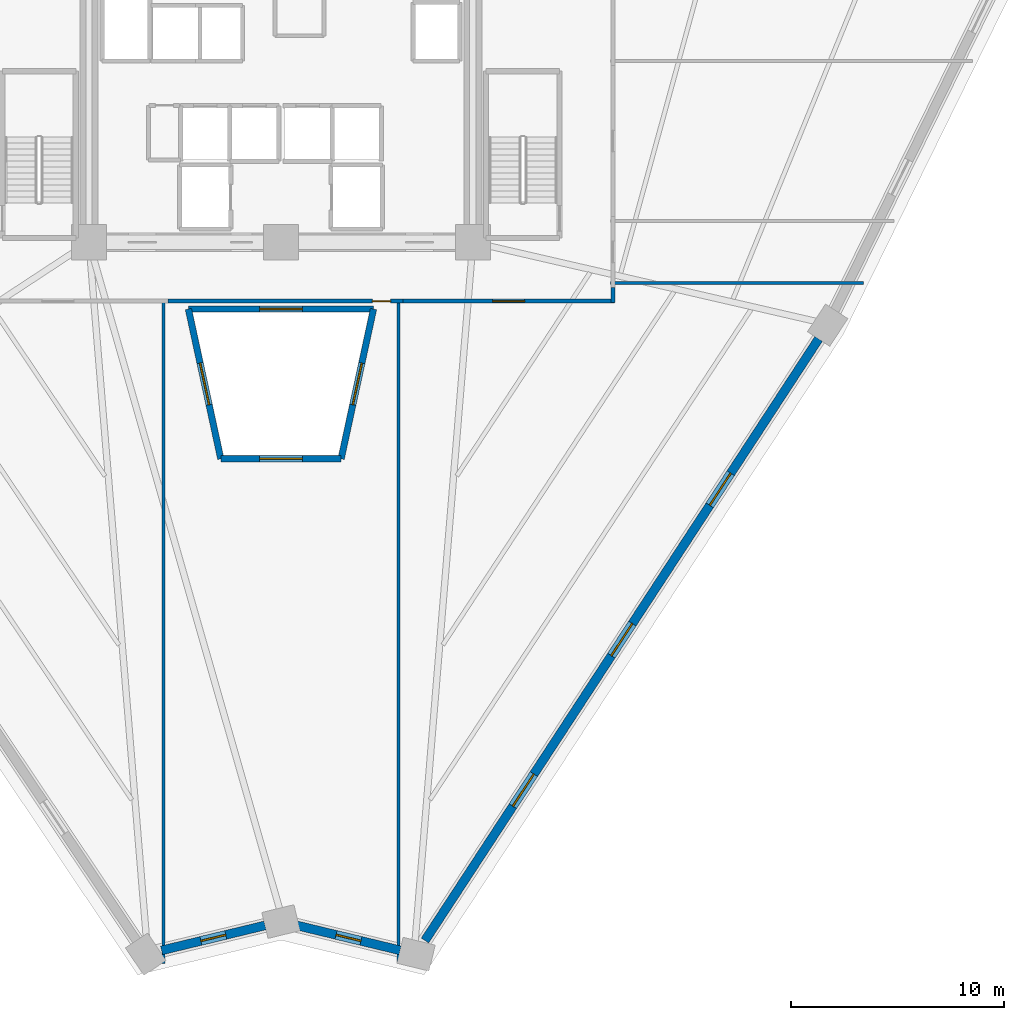
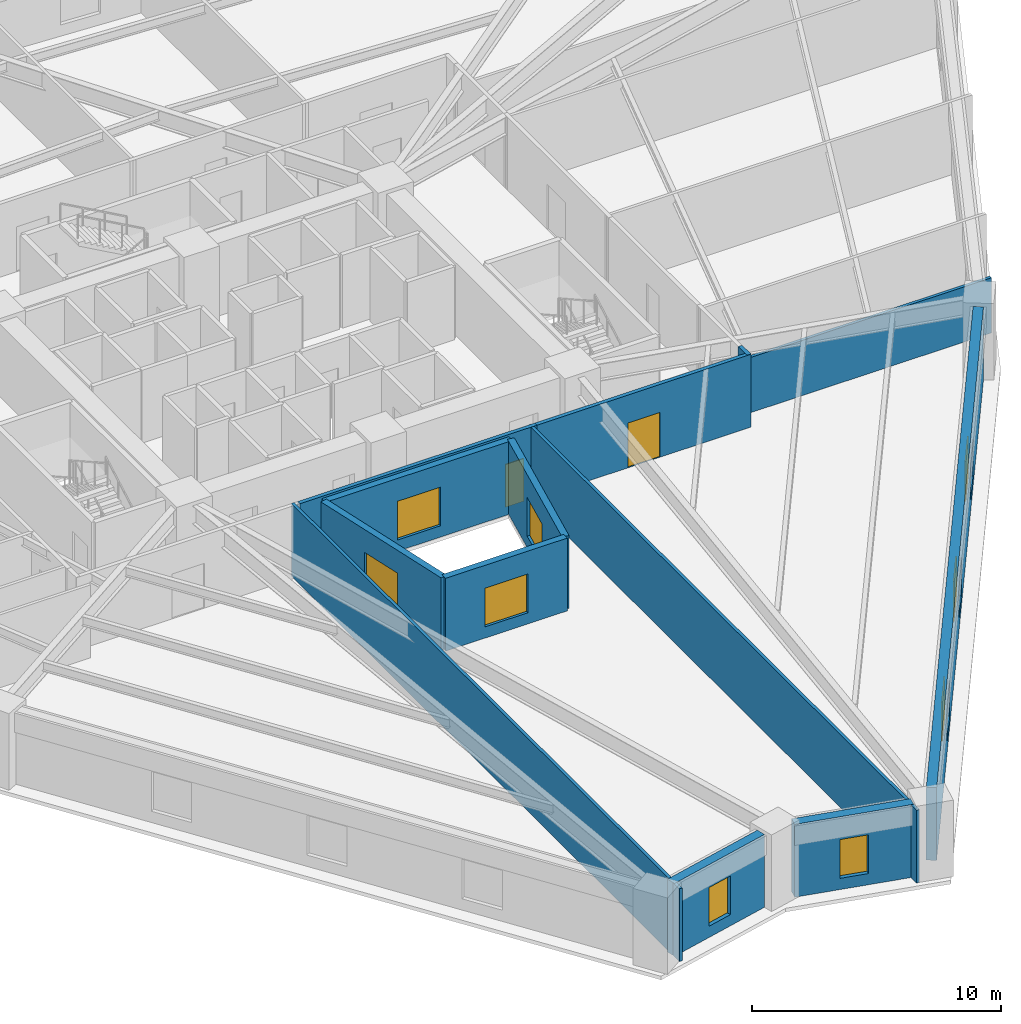
# One storey, part 3 of 9: 13 walls, 9 windows, 2 doors, 11 openings.
"""IFC4 building model written with IfcOpenShell, lengths in metres."""

from ifc_helpers import new_model, si_unit, direction, frame, frame_2d, origin, place, context, subcontext, project, spatial, rectangle, extrude, source, transform, mapped, material, layer, layer_set, type_object, element, fill, save


model = new_model("IFC4")

# Units and contexts
model_context = context("Model", 3, precision=1e-05, world=origin(), true_north=direction((0.0, 1.0)))
body_context = subcontext(model_context, "Body", "Model", "MODEL_VIEW")
ifc_project = project(units=[si_unit("LENGTHUNIT", "METRE"), si_unit("AREAUNIT", "SQUARE_METRE"), si_unit("VOLUMEUNIT", "CUBIC_METRE"), si_unit("PLANEANGLEUNIT", "RADIAN"), si_unit("MASSUNIT", "GRAM", prefix="KILO")], contexts=[model_context])

# Site, building, storey
site_placement = place(None, origin())
site = spatial("IfcSite", under=ifc_project, at=site_placement, CompositionType="ELEMENT")
building_placement = place(site_placement, origin())
building = spatial("IfcBuilding", under=site, at=building_placement, Name="Liaohun Quay Tower", CompositionType="ELEMENT")
storey_placement = place(building_placement, frame((0.0, 0.0, 59.25)))
storey = spatial("IfcBuildingStorey", under=building, at=storey_placement, Name="L15", CompositionType="ELEMENT", Elevation=59.25)

# Wall, opening, window
ifc_material_1 = material(Name="Concrete C50", Category="concrete")
ifc_layer_1 = layer(ifc_material_1, 0.300048828125, Name="Concrete C50", Category="concrete")
ifc_layer_set_1 = layer_set([ifc_layer_1], Name="Concrete C50")
wall_type_1 = type_object("IfcWallType", Name="WAL-ATR-300", PredefinedType="SOLIDWALL", material=ifc_layer_set_1)
wall_1_placement = place(storey_placement, frame((57.178955078125, 36.345947265625, 0.0), z_axis=(0.0, 0.0, 1.0), x_axis=(-0.211373141383, 0.977405440491, 0.0)))
wall_1 = element("IfcWall", 1, at=wall_1_placement, inside=storey, type_object=wall_type_1, Name="L15 Atrium Fire Compartment Wall 1", PredefinedType="SOLIDWALL", context=body_context, shape_type="SweptSolid", body=[
    extrude(rectangle(XDim=7.1865234375, YDim=0.300048828125, at=frame_2d((3.59326171875, 0.0))), origin(), (0.0, 0.0, 1.0), 3.570068359375),
])
shared_shape_1 = source(origin(), body_context, "Body", "SweptSolid", [
    extrude(rectangle(XDim=2.0, YDim=1.89990234375, at=frame_2d((1.0, 0.949951171875))), frame((0.0, 0.159912109375, 0.0), z_axis=(0.0, -1.0, 0.0), x_axis=(1.0, 0.0, 0.0)), (0.0, 0.0, 1.0), 0.320068359375),
])
opening_1_placement = place(wall_1_placement, frame((2.593017578125, 0.0, 0.550048828125)))
opening_1 = element("IfcOpeningElement", 2, at=opening_1_placement, cuts=wall_1, Name="Opening W07", PredefinedType="OPENING", context=body_context, shape_type="MappedRepresentation", body=[
    mapped(shared_shape_1, transform((0.0, 0.0, 0.0), x_axis=(1.0, 0.0, 0.0), y_axis=(0.0, 1.0, 0.0), z_axis=(0.0, 0.0, 1.0), scale=1.0)),
])
ifc_material_2 = material(Name="Class A 180-min fire-resistant insulated glazing", Category="glass")
window_type_1 = type_object("IfcWindowType", Name="WIN-ATR-FIR", PartitioningType="DOUBLE_PANEL_VERTICAL", PredefinedType="WINDOW", material=ifc_material_2)
shared_shape_2 = source(origin(), body_context, "Body", "SweptSolid", [
    extrude(rectangle(XDim=2.0, YDim=1.89990234375, at=frame_2d((1.0, 0.949951171875))), frame((0.0, 0.030029296875, 0.0), z_axis=(0.0, -1.0, 0.0), x_axis=(1.0, 0.0, 0.0)), (0.0, 0.0, 1.0), 0.06005859375),
])
window_1_placement = place(opening_1_placement, origin())
window_1 = element("IfcWindow", 3, at=window_1_placement, inside=storey, type_object=window_type_1, Name="L15 Atrium Fire-Resistant Glazing W07-1", OverallHeight=1.89990234375, OverallWidth=2.0, PartitioningType="DOUBLE_PANEL_VERTICAL", PredefinedType="WINDOW", context=body_context, shape_type="MappedRepresentation", body=[
    mapped(shared_shape_2, transform((0.0, 0.0, 0.0), x_axis=(1.0, 0.0, 0.0), y_axis=(0.0, 1.0, 0.0), z_axis=(0.0, 0.0, 1.0), scale=1.0)),
])
fill(opening_1, window_1)

wall_2_placement = place(storey_placement, frame((55.659912109375, 43.3701171875, 0.0), z_axis=(0.0, 0.0, 1.0), x_axis=(1.0, 0.0, 0.0)))
wall_2 = element("IfcWall", 4, at=wall_2_placement, inside=storey, type_object=wall_type_1, Name="L15 Atrium Fire Compartment Wall 2", PredefinedType="SOLIDWALL", context=body_context, shape_type="SweptSolid", body=[
    extrude(rectangle(XDim=8.68017578125, YDim=0.300048828125, at=frame_2d((4.340087890625, 0.0))), origin(), (0.0, 0.0, 1.0), 3.570068359375),
])
opening_2_placement = place(wall_2_placement, frame((3.340087890625, 0.0, 0.550048828125)))
opening_2 = element("IfcOpeningElement", 5, at=opening_2_placement, cuts=wall_2, Name="Opening W07", PredefinedType="OPENING", context=body_context, shape_type="MappedRepresentation", body=[
    mapped(shared_shape_1, transform((0.0, 0.0, 0.0), x_axis=(1.0, 0.0, 0.0), y_axis=(0.0, 1.0, 0.0), z_axis=(0.0, 0.0, 1.0), scale=1.0)),
])
window_2_placement = place(opening_2_placement, origin())
window_2 = element("IfcWindow", 6, at=window_2_placement, inside=storey, type_object=window_type_1, Name="L15 Atrium Fire-Resistant Glazing W07-2", OverallHeight=1.89990234375, OverallWidth=2.0, PartitioningType="DOUBLE_PANEL_VERTICAL", PredefinedType="WINDOW", context=body_context, shape_type="MappedRepresentation", body=[
    mapped(shared_shape_2, transform((0.0, 0.0, 0.0), x_axis=(1.0, 0.0, 0.0), y_axis=(0.0, 1.0, 0.0), z_axis=(0.0, 0.0, 1.0), scale=1.0)),
])
fill(opening_2, window_2)

wall_3_placement = place(storey_placement, frame((64.340087890625, 43.3701171875, 0.0), z_axis=(0.0, 0.0, 1.0), x_axis=(-0.211373141383, -0.977405440491, 0.0)))
wall_3 = element("IfcWall", 7, at=wall_3_placement, inside=storey, type_object=wall_type_1, Name="L15 Atrium Fire Compartment Wall 3", PredefinedType="SOLIDWALL", context=body_context, shape_type="SweptSolid", body=[
    extrude(rectangle(XDim=7.1865234375, YDim=0.300048828125, at=frame_2d((3.59326171875, 0.0))), origin(), (0.0, 0.0, 1.0), 3.570068359375),
])
opening_3_placement = place(wall_3_placement, frame((2.593017578125, 0.0, 0.550048828125)))
opening_3 = element("IfcOpeningElement", 8, at=opening_3_placement, cuts=wall_3, Name="Opening W07", PredefinedType="OPENING", context=body_context, shape_type="MappedRepresentation", body=[
    mapped(shared_shape_1, transform((0.0, 0.0, 0.0), x_axis=(1.0, 0.0, 0.0), y_axis=(0.0, 1.0, 0.0), z_axis=(0.0, 0.0, 1.0), scale=1.0)),
])
window_3_placement = place(opening_3_placement, origin())
window_3 = element("IfcWindow", 9, at=window_3_placement, inside=storey, type_object=window_type_1, Name="L15 Atrium Fire-Resistant Glazing W07-3", OverallHeight=1.89990234375, OverallWidth=2.0, PartitioningType="DOUBLE_PANEL_VERTICAL", PredefinedType="WINDOW", context=body_context, shape_type="MappedRepresentation", body=[
    mapped(shared_shape_2, transform((0.0, 0.0, 0.0), x_axis=(1.0, 0.0, 0.0), y_axis=(0.0, 1.0, 0.0), z_axis=(0.0, 0.0, 1.0), scale=1.0)),
])
fill(opening_3, window_3)

wall_4_placement = place(storey_placement, frame((62.821044921875, 36.345947265625, 0.0), z_axis=(0.0, 0.0, 1.0), x_axis=(-1.0, 0.0, 0.0)))
wall_4 = element("IfcWall", 10, at=wall_4_placement, inside=storey, type_object=wall_type_1, Name="L15 Atrium Fire Compartment Wall 4", PredefinedType="SOLIDWALL", context=body_context, shape_type="SweptSolid", body=[
    extrude(rectangle(XDim=5.64208984375, YDim=0.300048828125, at=frame_2d((2.821044921875, 0.0))), origin(), (0.0, 0.0, 1.0), 3.570068359375),
])
opening_4_placement = place(wall_4_placement, frame((1.821044921875, 0.0, 0.550048828125)))
opening_4 = element("IfcOpeningElement", 11, at=opening_4_placement, cuts=wall_4, Name="Opening W07", PredefinedType="OPENING", context=body_context, shape_type="MappedRepresentation", body=[
    mapped(shared_shape_1, transform((0.0, 0.0, 0.0), x_axis=(1.0, 0.0, 0.0), y_axis=(0.0, 1.0, 0.0), z_axis=(0.0, 0.0, 1.0), scale=1.0)),
])
window_4_placement = place(opening_4_placement, origin())
window_4 = element("IfcWindow", 12, at=window_4_placement, inside=storey, type_object=window_type_1, Name="L15 Atrium Fire-Resistant Glazing W07-4", OverallHeight=1.89990234375, OverallWidth=2.0, PartitioningType="DOUBLE_PANEL_VERTICAL", PredefinedType="WINDOW", context=body_context, shape_type="MappedRepresentation", body=[
    mapped(shared_shape_2, transform((0.0, 0.0, 0.0), x_axis=(1.0, 0.0, 0.0), y_axis=(0.0, 1.0, 0.0), z_axis=(0.0, 0.0, 1.0), scale=1.0)),
])
fill(opening_4, window_4)

ifc_material_3 = material(Name="Precast concrete C50 insulated sandwich", Category="concrete")
ifc_layer_2 = layer(ifc_material_3, 0.419921875, Name="Precast concrete C50 insulated sandwich", Category="concrete")
ifc_layer_set_2 = layer_set([ifc_layer_2], Name="Precast concrete C50 insulated sandwich")
wall_type_2 = type_object("IfcWallType", Name="WAL-EXT-Z12", PredefinedType="SOLIDWALL", material=ifc_layer_set_2)
wall_5_placement = place(storey_placement, frame((60.743896484375, 14.471923828125, 0.0), z_axis=(0.0, 0.0, 1.0), x_axis=(0.972095694159, -0.234584657207, 0.0)))
wall_5 = element("IfcWall", 13, at=wall_5_placement, inside=storey, type_object=wall_type_2, Name="L15 Brutalist Precast Pier Wall 01", PredefinedType="SOLIDWALL", context=body_context, shape_type="SweptSolid", body=[
    extrude(rectangle(XDim=4.983154296875, YDim=0.419921875, at=frame_2d((2.49169921875, 0.0))), origin(), (0.0, 0.0, 1.0), 3.570068359375),
])
shared_shape_3 = source(origin(), body_context, "Body", "SweptSolid", [
    extrude(rectangle(XDim=1.199951171875, YDim=1.89990234375, at=frame_2d((0.60009765625, 0.949951171875))), frame((0.0, 0.219970703125, 0.0), z_axis=(0.0, -1.0, 0.0), x_axis=(1.0, 0.0, 0.0)), (0.0, 0.0, 1.0), 0.43994140625),
])
opening_5_placement = place(wall_5_placement, frame((1.89208984375, 0.0, 0.550048828125)))
opening_5 = element("IfcOpeningElement", 14, at=opening_5_placement, cuts=wall_5, Name="Opening W05", PredefinedType="OPENING", context=body_context, shape_type="MappedRepresentation", body=[
    mapped(shared_shape_3, transform((0.0, 0.0, 0.0), x_axis=(1.0, 0.0, 0.0), y_axis=(0.0, 1.0, 0.0), z_axis=(0.0, 0.0, 1.0), scale=1.0)),
])
ifc_material_4 = material(Name="Triple Low-E corner notch glazing", Category="glass")
window_type_2 = type_object("IfcWindowType", Name="WIN-NOTCH", PartitioningType="SINGLE_PANEL", PredefinedType="WINDOW", material=ifc_material_4)
shared_shape_4 = source(origin(), body_context, "Body", "SweptSolid", [
    extrude(rectangle(XDim=1.199951171875, YDim=1.89990234375, at=frame_2d((0.60009765625, 0.949951171875))), frame((0.0, 0.030029296875, 0.0), z_axis=(0.0, -1.0, 0.0), x_axis=(1.0, 0.0, 0.0)), (0.0, 0.0, 1.0), 0.06005859375),
])
window_5_placement = place(opening_5_placement, origin())
window_5 = element("IfcWindow", 15, at=window_5_placement, inside=storey, type_object=window_type_2, Name="L15 Corner Notch Window W05-01", OverallHeight=1.89990234375, OverallWidth=1.199951171875, PartitioningType="SINGLE_PANEL", PredefinedType="WINDOW", context=body_context, shape_type="MappedRepresentation", body=[
    mapped(shared_shape_4, transform((0.0, 0.0, 0.0), x_axis=(1.0, 0.0, 0.0), y_axis=(0.0, 1.0, 0.0), z_axis=(0.0, 0.0, 1.0), scale=1.0)),
])
fill(opening_5, window_5)

# Wall, openings, windows
wall_6_placement = place(storey_placement, frame((66.7509765625, 13.762939453125, 0.0), z_axis=(0.0, 0.0, 1.0), x_axis=(0.547544136791, 0.836776803135, 0.0)))
wall_6 = element("IfcWall", 16, at=wall_6_placement, inside=storey, type_object=wall_type_2, Name="L15 Brutalist Precast Pier Wall 02", PredefinedType="SOLIDWALL", context=body_context, shape_type="SweptSolid", body=[
    extrude(rectangle(XDim=33.714111328125, YDim=0.419921875, at=frame_2d((16.85693359375, 0.0))), origin(), (0.0, 0.0, 1.0), 3.570068359375),
])
shared_shape_5 = source(origin(), body_context, "Body", "SweptSolid", [
    extrude(rectangle(XDim=1.800048828125, YDim=1.949951171875, at=frame_2d((0.89990234375, 0.97509765625))), frame((0.0, 0.219970703125, 0.0), z_axis=(0.0, -1.0, 0.0), x_axis=(1.0, 0.0, 0.0)), (0.0, 0.0, 1.0), 0.43994140625),
])
opening_6_placement = place(wall_6_placement, frame((7.528076171875, 0.0, 0.550048828125)))
opening_6 = element("IfcOpeningElement", 17, at=opening_6_placement, cuts=wall_6, Name="Opening W01", PredefinedType="OPENING", context=body_context, shape_type="MappedRepresentation", body=[
    mapped(shared_shape_5, transform((0.0, 0.0, 0.0), x_axis=(1.0, 0.0, 0.0), y_axis=(0.0, 1.0, 0.0), z_axis=(0.0, 0.0, 1.0), scale=1.0)),
])
opening_7_placement = place(wall_6_placement, frame((15.95703125, 0.0, 0.550048828125)))
opening_7 = element("IfcOpeningElement", 18, at=opening_7_placement, cuts=wall_6, Name="Opening W01", PredefinedType="OPENING", context=body_context, shape_type="MappedRepresentation", body=[
    mapped(shared_shape_5, transform((0.0, 0.0, 0.0), x_axis=(1.0, 0.0, 0.0), y_axis=(0.0, 1.0, 0.0), z_axis=(0.0, 0.0, 1.0), scale=1.0)),
])
opening_8_placement = place(wall_6_placement, frame((24.385009765625, 0.0, 0.550048828125)))
opening_8 = element("IfcOpeningElement", 19, at=opening_8_placement, cuts=wall_6, Name="Opening W01", PredefinedType="OPENING", context=body_context, shape_type="MappedRepresentation", body=[
    mapped(shared_shape_5, transform((0.0, 0.0, 0.0), x_axis=(1.0, 0.0, 0.0), y_axis=(0.0, 1.0, 0.0), z_axis=(0.0, 0.0, 1.0), scale=1.0)),
])
ifc_material_5 = material(Name="Triple Low-E argon glazing in thermally broken aluminium", Category="aluminium")
window_type_3 = type_object("IfcWindowType", Name="WIN-PUN-Z1", PartitioningType="DOUBLE_PANEL_VERTICAL", PredefinedType="WINDOW", material=ifc_material_5)
shared_shape_6 = source(origin(), body_context, "Body", "SweptSolid", [
    extrude(rectangle(XDim=1.800048828125, YDim=1.949951171875, at=frame_2d((0.89990234375, 0.97509765625))), frame((0.0, 0.030029296875, 0.0), z_axis=(0.0, -1.0, 0.0), x_axis=(1.0, 0.0, 0.0)), (0.0, 0.0, 1.0), 0.06005859375),
])
window_6_placement = place(opening_6_placement, origin())
window_6 = element("IfcWindow", 20, at=window_6_placement, inside=storey, type_object=window_type_3, Name="L15 Recessed Cold-Climate Punched Window 02-1", OverallHeight=1.949951171875, OverallWidth=1.800048828125, PartitioningType="DOUBLE_PANEL_VERTICAL", PredefinedType="WINDOW", context=body_context, shape_type="MappedRepresentation", body=[
    mapped(shared_shape_6, transform((0.0, 0.0, 0.0), x_axis=(1.0, 0.0, 0.0), y_axis=(0.0, 1.0, 0.0), z_axis=(0.0, 0.0, 1.0), scale=1.0)),
])
fill(opening_6, window_6)
window_7_placement = place(opening_7_placement, origin())
window_7 = element("IfcWindow", 21, at=window_7_placement, inside=storey, type_object=window_type_3, Name="L15 Recessed Cold-Climate Punched Window 02-2", OverallHeight=1.949951171875, OverallWidth=1.800048828125, PartitioningType="DOUBLE_PANEL_VERTICAL", PredefinedType="WINDOW", context=body_context, shape_type="MappedRepresentation", body=[
    mapped(shared_shape_6, transform((0.0, 0.0, 0.0), x_axis=(1.0, 0.0, 0.0), y_axis=(0.0, 1.0, 0.0), z_axis=(0.0, 0.0, 1.0), scale=1.0)),
])
fill(opening_7, window_7)
window_8_placement = place(opening_8_placement, origin())
window_8 = element("IfcWindow", 22, at=window_8_placement, inside=storey, type_object=window_type_3, Name="L15 Recessed Cold-Climate Punched Window 02-3", OverallHeight=1.949951171875, OverallWidth=1.800048828125, PartitioningType="DOUBLE_PANEL_VERTICAL", PredefinedType="WINDOW", context=body_context, shape_type="MappedRepresentation", body=[
    mapped(shared_shape_6, transform((0.0, 0.0, 0.0), x_axis=(1.0, 0.0, 0.0), y_axis=(0.0, 1.0, 0.0), z_axis=(0.0, 0.0, 1.0), scale=1.0)),
])
fill(opening_8, window_8)

# Wall, opening, window
wall_7_placement = place(storey_placement, frame((54.405029296875, 13.301025390625, 0.0), z_axis=(0.0, 0.0, 1.0), x_axis=(0.972084517215, 0.234630968524, 0.0)))
wall_7 = element("IfcWall", 23, at=wall_7_placement, inside=storey, type_object=wall_type_2, Name="L15 Brutalist Precast Pier Wall 12", PredefinedType="SOLIDWALL", context=body_context, shape_type="SweptSolid", body=[
    extrude(rectangle(XDim=4.990478515625, YDim=0.419921875, at=frame_2d((2.4951171875, 0.0))), origin(), (0.0, 0.0, 1.0), 3.570068359375),
])
opening_9_placement = place(wall_7_placement, frame((1.89501953125, 0.0, 0.550048828125)))
opening_9 = element("IfcOpeningElement", 24, at=opening_9_placement, cuts=wall_7, Name="Opening W05", PredefinedType="OPENING", context=body_context, shape_type="MappedRepresentation", body=[
    mapped(shared_shape_3, transform((0.0, 0.0, 0.0), x_axis=(1.0, 0.0, 0.0), y_axis=(0.0, 1.0, 0.0), z_axis=(0.0, 0.0, 1.0), scale=1.0)),
])
window_9_placement = place(opening_9_placement, origin())
window_9 = element("IfcWindow", 25, at=window_9_placement, inside=storey, type_object=window_type_2, Name="L15 Corner Notch Window W05-12", OverallHeight=1.89990234375, OverallWidth=1.199951171875, PartitioningType="SINGLE_PANEL", PredefinedType="WINDOW", context=body_context, shape_type="MappedRepresentation", body=[
    mapped(shared_shape_4, transform((0.0, 0.0, 0.0), x_axis=(1.0, 0.0, 0.0), y_axis=(0.0, 1.0, 0.0), z_axis=(0.0, 0.0, 1.0), scale=1.0)),
])
fill(opening_9, window_9)

# Wall, opening, door
ifc_material_6 = material(Name="Autoclaved aerated concrete blockwork", Category="masonry")
ifc_layer_3 = layer(ifc_material_6, 0.179931640625, Name="Autoclaved aerated concrete blockwork", Category="masonry")
ifc_layer_set_3 = layer_set([ifc_layer_3], Name="Autoclaved aerated concrete blockwork")
wall_type_3 = type_object("IfcWallType", Name="WAL-PRT-COR", PredefinedType="PARTITIONING", material=ifc_layer_set_3)
wall_8_placement = place(storey_placement, frame((65.715087890625, 43.739990234375, 0.0), z_axis=(0.0, 0.0, 1.0), x_axis=(-1.0, 0.0, 0.0)))
wall_8 = element("IfcWall", 26, at=wall_8_placement, inside=storey, type_object=wall_type_3, Name="L15 Interior Partition Wall 020", PredefinedType="PARTITIONING", context=body_context, shape_type="SweptSolid", body=[
    extrude(rectangle(XDim=11.0, YDim=0.179931640625, at=frame_2d((5.5, 0.0))), origin(), (0.0, 0.0, 1.0), 3.570068359375),
])
shared_shape_7 = source(origin(), body_context, "Body", "SweptSolid", [
    extrude(rectangle(XDim=0.85009765625, YDim=2.10009765625, at=frame_2d((0.425048828125, 1.050048828125))), frame((0.0, 0.099853515625, 0.0), z_axis=(0.0, -1.0, 0.0), x_axis=(1.0, 0.0, 0.0)), (0.0, 0.0, 1.0), 0.199951171875),
])
opening_10_placement = place(wall_8_placement, frame((0.574951171875, 0.0, 0.0)))
opening_10 = element("IfcOpeningElement", 27, at=opening_10_placement, cuts=wall_8, Name="Opening AD1", PredefinedType="OPENING", context=body_context, shape_type="MappedRepresentation", body=[
    mapped(shared_shape_7, transform((0.0, 0.0, 0.0), x_axis=(1.0, 0.0, 0.0), y_axis=(0.0, 1.0, 0.0), z_axis=(0.0, 0.0, 1.0), scale=1.0)),
])
ifc_material_7 = material(Name="Steel riser inspection fire door", Category="steel")
door_type_1 = type_object("IfcDoorType", Name="DOR-SHF-850", OperationType="NOTDEFINED", PredefinedType="DOOR", material=ifc_material_7)
shared_shape_8 = source(origin(), body_context, "Body", "SweptSolid", [
    extrude(rectangle(XDim=0.85009765625, YDim=2.10009765625, at=frame_2d((0.425048828125, 1.050048828125))), frame((0.0, 0.02490234375, 0.0), z_axis=(0.0, -1.0, 0.0), x_axis=(1.0, 0.0, 0.0)), (0.0, 0.0, 1.0), 0.050048828125),
])
door_1_placement = place(opening_10_placement, origin())
door_1 = element("IfcDoor", 28, at=door_1_placement, inside=storey, type_object=door_type_1, Name="L15 Executive Partner Office 11 Door", OperationType="SINGLE_SWING_LEFT", OverallHeight=2.10009765625, OverallWidth=0.85009765625, PredefinedType="DOOR", context=body_context, shape_type="MappedRepresentation", body=[
    mapped(shared_shape_8, transform((0.0, 0.0, 0.0), x_axis=(1.0, 0.0, 0.0), y_axis=(0.0, 1.0, 0.0), z_axis=(0.0, 0.0, 1.0), scale=1.0)),
])
fill(opening_10, door_1)

wall_9_placement = place(storey_placement, frame((75.6298828125, 43.739990234375, 0.0), z_axis=(0.0, 0.0, 1.0), x_axis=(-1.0, 0.0, 0.0)))
wall_9 = element("IfcWall", 29, at=wall_9_placement, inside=storey, type_object=wall_type_3, Name="L15 Interior Partition Wall 021", PredefinedType="PARTITIONING", context=body_context, shape_type="SweptSolid", body=[
    extrude(rectangle(XDim=9.914794921875, YDim=0.179931640625, at=frame_2d((4.95751953125, 0.0))), origin(), (0.0, 0.0, 1.0), 3.570068359375),
])
shared_shape_9 = source(origin(), body_context, "Body", "SweptSolid", [
    extrude(rectangle(XDim=1.5, YDim=2.199951171875, at=frame_2d((0.75, 1.10009765625))), frame((0.0, 0.099853515625, 0.0), z_axis=(0.0, -1.0, 0.0), x_axis=(1.0, 0.0, 0.0)), (0.0, 0.0, 1.0), 0.199951171875),
])
opening_11_placement = place(wall_9_placement, frame((4.20703125, 0.0, 0.0)))
opening_11 = element("IfcOpeningElement", 30, at=opening_11_placement, cuts=wall_9, Name="Opening OD2", PredefinedType="OPENING", context=body_context, shape_type="MappedRepresentation", body=[
    mapped(shared_shape_9, transform((0.0, 0.0, 0.0), x_axis=(1.0, 0.0, 0.0), y_axis=(0.0, 1.0, 0.0), z_axis=(0.0, 0.0, 1.0), scale=1.0)),
])
ifc_material_8 = material(Name="Acoustic oak veneer double door")
door_type_2 = type_object("IfcDoorType", Name="DOR-OFF-1500", OperationType="DOUBLE_DOOR_SINGLE_SWING", PredefinedType="DOOR", material=ifc_material_8)
shared_shape_10 = source(origin(), body_context, "Body", "SweptSolid", [
    extrude(rectangle(XDim=1.5, YDim=2.199951171875, at=frame_2d((0.75, 1.10009765625))), frame((0.0, 0.02490234375, 0.0), z_axis=(0.0, -1.0, 0.0), x_axis=(1.0, 0.0, 0.0)), (0.0, 0.0, 1.0), 0.050048828125),
])
door_2_placement = place(opening_11_placement, origin())
door_2 = element("IfcDoor", 31, at=door_2_placement, inside=storey, type_object=door_type_2, Name="L15 Client Reception Office 12 Door", OperationType="DOUBLE_DOOR_SINGLE_SWING", OverallHeight=2.199951171875, OverallWidth=1.5, PredefinedType="DOOR", context=body_context, shape_type="MappedRepresentation", body=[
    mapped(shared_shape_10, transform((0.0, 0.0, 0.0), x_axis=(1.0, 0.0, 0.0), y_axis=(0.0, 1.0, 0.0), z_axis=(0.0, 0.0, 1.0), scale=1.0)),
])
fill(opening_11, door_2)

# Walls
wall_10_placement = place(storey_placement, frame((75.56005859375, 44.385009765625, 0.0), z_axis=(0.0, 0.0, 1.0), x_axis=(0.0, -1.0, 0.0)))
element("IfcWall", 32, at=wall_10_placement, inside=storey, type_object=wall_type_3, Name="L15 Interior Partition Wall 040", PredefinedType="PARTITIONING", context=body_context, shape_type="SweptSolid", body=[
    extrude(rectangle(XDim=0.715087890625, YDim=0.179931640625, at=frame_2d((0.357421875, 0.0))), origin(), (0.0, 0.0, 1.0), 3.570068359375),
])
ifc_material_9 = material(Name="Gypsum board on twin steel studs", Category="steel")
ifc_layer_4 = layer(ifc_material_9, 0.139892578125, Name="Gypsum board on twin steel studs", Category="steel")
ifc_layer_set_4 = layer_set([ifc_layer_4], Name="Gypsum board on twin steel studs")
wall_type_4 = type_object("IfcWallType", Name="WAL-PRT-OFF", PredefinedType="PARTITIONING", material=ifc_layer_set_4)
wall_11_placement = place(storey_placement, frame((75.4599609375, 44.60009765625, 0.0), z_axis=(0.0, 0.0, 1.0), x_axis=(1.0, 0.0, 0.0)))
element("IfcWall", 33, at=wall_11_placement, inside=storey, type_object=wall_type_4, Name="L15 Interior Partition Wall 046", PredefinedType="PARTITIONING", context=body_context, shape_type="SweptSolid", body=[
    extrude(rectangle(XDim=11.84814453125, YDim=0.139892578125, at=frame_2d((5.924072265625, 0.0))), origin(), (0.0, 0.0, 1.0), 2.705078125),
])
for number, where, z_axis, x_axis, name in (
    (34, (54.5, 43.840087890625, 0.0), (0.0, 0.0, 1.0), (0.0, -1.0, 0.0), "L15 Interior Partition Wall 054"),
    (35, (65.5, 43.840087890625, 0.0), (0.0, 0.0, 1.0), (0.0, -1.0, 0.0), "L15 Interior Partition Wall 055"),
):
    element("IfcWall", number, at=place(storey_placement, frame(where, z_axis=z_axis, x_axis=x_axis)), inside=storey, type_object=wall_type_4, Name=name, PredefinedType="PARTITIONING", context=body_context, shape_type="SweptSolid", body=[
        extrude(rectangle(XDim=31.1640625, YDim=0.139892578125, at=frame_2d((15.58203125, 0.0))), origin(), (0.0, 0.0, 1.0), 3.570068359375),
    ])

save(model, "model.ifc")
